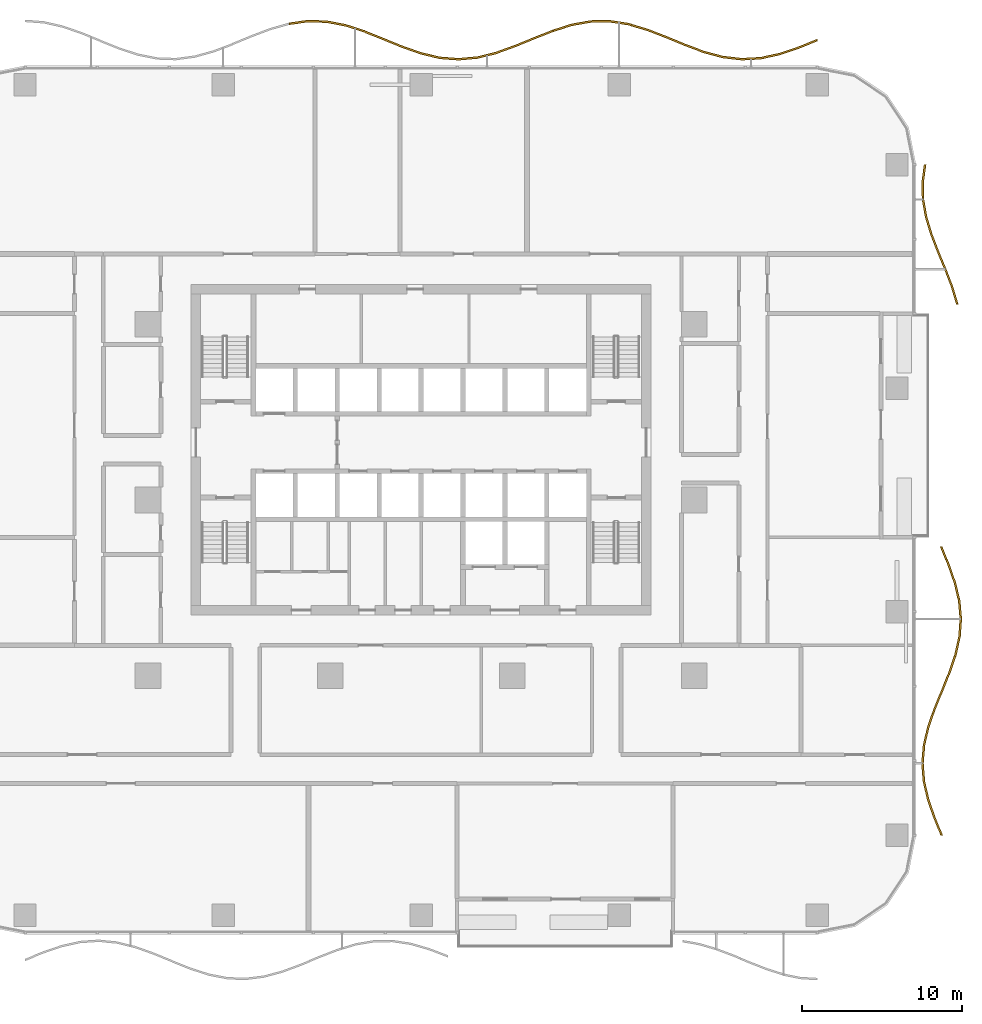
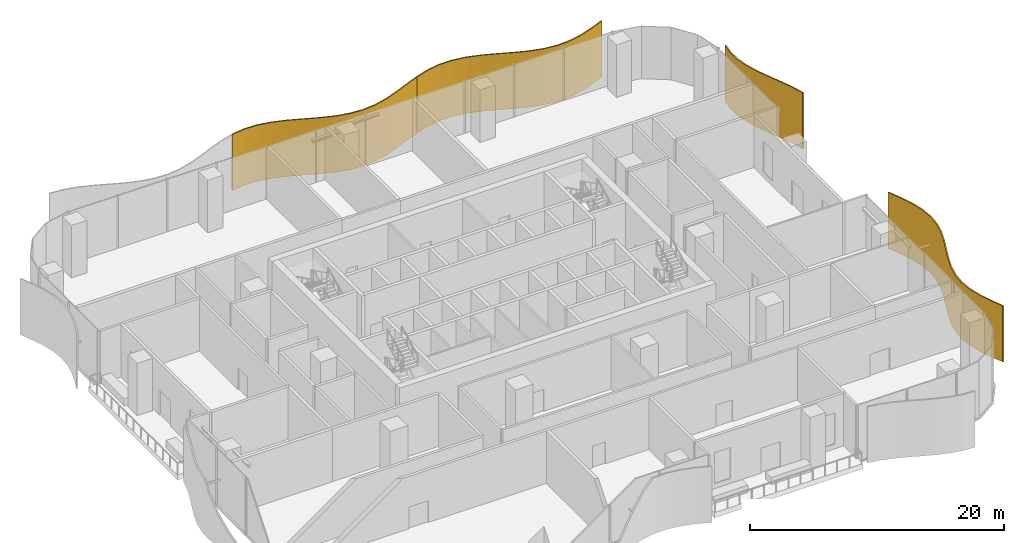
# One storey, part 20 of 20: 4 shading devices.
"""IFC4 building model written with IfcOpenShell, lengths in metres."""

from ifc_helpers import new_model, si_unit, direction, frame, origin, place, context, subcontext, project, spatial, polyline, outline, extrude, material, layer, layer_set, type_object, element, save


model = new_model("IFC4")

# Units and contexts
model_context = context("Model", 3, precision=1e-05, world=origin(), true_north=direction((0.0, 1.0)))
body_context = subcontext(model_context, "Body", "Model", "MODEL_VIEW")
ifc_project = project(units=[si_unit("LENGTHUNIT", "METRE"), si_unit("AREAUNIT", "SQUARE_METRE"), si_unit("VOLUMEUNIT", "CUBIC_METRE"), si_unit("PLANEANGLEUNIT", "RADIAN"), si_unit("MASSUNIT", "GRAM", prefix="KILO")], contexts=[model_context])

# Site, building, storey
site_placement = place(None, origin())
site = spatial("IfcSite", under=ifc_project, at=site_placement, CompositionType="ELEMENT")
building_placement = place(site_placement, origin())
building = spatial("IfcBuilding", under=site, at=building_placement, Name="Mopane Tessera Tower", CompositionType="ELEMENT")
storey_placement = place(building_placement, frame((0.0, 0.0, 25.5)))
storey = spatial("IfcBuildingStorey", under=building, at=storey_placement, Name="L04", CompositionType="ELEMENT", Elevation=25.5)

# Shading devices
ifc_material = material(Name="Anodised aluminium louvre blades", Category="aluminium")
ifc_layer = layer(ifc_material, 0.1201171875)
ifc_layer_set = layer_set([ifc_layer], Name="Anodised aluminium louvre blades")
shading_device_type = type_object("IfcShadingDeviceType", Name="Wave louvre screen", PredefinedType="JALOUSIE", material=ifc_layer_set)
shading_device_1_placement = place(storey_placement, frame((0.0, 0.0, -0.340087890625)))
element("IfcShadingDevice", 1, at=shading_device_1_placement, inside=storey, type_object=shading_device_type, Name="e:lv:L04:E:0", PredefinedType="JALOUSIE", context=body_context, shape_type="SweptSolid", body=[
    extrude(outline(polyline([(32.5400390625, -21.0), (32.0791015625, -19.870849609375), (31.68896484375, -18.74169921875), (31.429443359375, -17.612548828125), (31.340087890625, -16.4833984375), (31.434814453125, -15.354248046875), (31.698974609375, -14.22509765625), (32.092041015625, -13.095947265625), (32.553955078125, -11.966552734375), (33.013671875, -10.83740234375), (33.40087890625, -9.708251953125), (33.65576171875, -8.5791015625), (33.73974609375, -7.449951171875), (33.639892578125, -6.32080078125), (33.37109375, -5.191650390625), (32.974853515625, -4.0625), (32.511962890625, -2.933349609375), (32.632080078125, -2.933349609375), (33.094970703125, -4.0625), (33.490966796875, -5.191650390625), (33.759765625, -6.32080078125), (33.85986328125, -7.449951171875), (33.77587890625, -8.5791015625), (33.520751953125, -9.708251953125), (33.1337890625, -10.83740234375), (32.674072265625, -11.966552734375), (32.212158203125, -13.095947265625), (31.81884765625, -14.22509765625), (31.5546875, -15.354248046875), (31.4599609375, -16.4833984375), (31.54931640625, -17.612548828125), (31.80908203125, -18.74169921875), (32.19921875, -19.870849609375), (32.659912109375, -21.0), (32.5400390625, -21.0)])), origin(), (0.0, 0.0, 1.0), 5.39013671875),
])
shading_device_2_placement = place(storey_placement, frame((0.0, 0.0, -0.340087890625)))
element("IfcShadingDevice", 2, at=shading_device_2_placement, inside=storey, type_object=shading_device_type, Name="e:lv:L04:E:1", PredefinedType="JALOUSIE", context=body_context, shape_type="SweptSolid", body=[
    extrude(outline(polyline([(33.51904296875, 12.2666015625), (33.190673828125, 13.3583984375), (32.76904296875, 14.449951171875), (32.314453125, 15.541748046875), (31.892333984375, 16.63330078125), (31.56298828125, 17.72509765625), (31.3740234375, 18.816650390625), (31.35205078125, 19.908447265625), (31.500732421875, 21.0), (31.620849609375, 21.0), (31.47216796875, 19.908447265625), (31.493896484375, 18.816650390625), (31.68310546875, 17.72509765625), (32.01220703125, 16.63330078125), (32.4345703125, 15.541748046875), (32.888916015625, 14.449951171875), (33.310546875, 13.3583984375), (33.638916015625, 12.2666015625), (33.51904296875, 12.2666015625)])), origin(), (0.0, 0.0, 1.0), 5.39013671875),
])
shading_device_3_placement = place(storey_placement, frame((0.0, 0.0, -0.340087890625)))
element("IfcShadingDevice", 3, at=shading_device_3_placement, inside=storey, type_object=shading_device_type, Name="e:lv:L04:N:0", PredefinedType="JALOUSIE", context=body_context, shape_type="SweptSolid", body=[
    extrude(outline(polyline([(24.800048828125, 28.739990234375), (23.619140625, 28.25927734375), (22.43798828125, 27.85888671875), (21.257080078125, 27.6064453125), (20.076171875, 27.543701171875), (18.895263671875, 27.681396484375), (17.71435546875, 27.99658203125), (16.533447265625, 28.436279296875), (15.352294921875, 28.9267578125), (14.17138671875, 29.385986328125), (12.990478515625, 29.737060546875), (11.8095703125, 29.921142578125), (10.628662109375, 29.9072265625), (9.447509765625, 29.69775390625), (8.2666015625, 29.327880859375), (8.2666015625, 29.44775390625), (9.447509765625, 29.81787109375), (10.628662109375, 30.027099609375), (11.8095703125, 30.041015625), (12.990478515625, 29.857177734375), (14.17138671875, 29.506103515625), (15.352294921875, 29.046630859375), (16.533447265625, 28.55615234375), (17.71435546875, 28.116455078125), (18.895263671875, 27.801513671875), (20.076171875, 27.66357421875), (21.257080078125, 27.726318359375), (22.43798828125, 27.97900390625), (23.619140625, 28.379150390625), (24.800048828125, 28.860107421875), (24.800048828125, 28.739990234375)])), origin(), (0.0, 0.0, 1.0), 5.39013671875),
])
shading_device_4_placement = place(storey_placement, frame((0.0, 0.0, -0.340087890625)))
element("IfcShadingDevice", 4, at=shading_device_4_placement, inside=storey, type_object=shading_device_type, Name="e:lv:L04:N:1", PredefinedType="JALOUSIE", context=body_context, shape_type="SweptSolid", body=[
    extrude(outline(polyline([(8.2666015625, 29.327880859375), (7.085693359375, 28.859375), (5.90478515625, 28.37109375), (4.723876953125, 27.944580078125), (3.54296875, 27.651123046875), (2.36181640625, 27.540283203125), (1.180908203125, 27.63037109375), (0.0, 27.906494140625), (-1.180908203125, 28.322021484375), (-2.36181640625, 28.807861328125), (-3.54296875, 29.2822265625), (-4.723876953125, 29.66552734375), (-5.90478515625, 29.89404296875), (-7.085693359375, 29.92919921875), (-8.2666015625, 29.764892578125), (-8.2666015625, 29.885009765625), (-7.085693359375, 30.049072265625), (-5.90478515625, 30.01416015625), (-4.723876953125, 29.78564453125), (-3.54296875, 29.402099609375), (-2.36181640625, 28.927734375), (-1.180908203125, 28.442138671875), (0.0, 28.0263671875), (1.180908203125, 27.75048828125), (2.36181640625, 27.660400390625), (3.54296875, 27.771240234375), (4.723876953125, 28.064453125), (5.90478515625, 28.490966796875), (7.085693359375, 28.9794921875), (8.2666015625, 29.44775390625), (8.2666015625, 29.327880859375)])), origin(), (0.0, 0.0, 1.0), 5.39013671875),
])

save(model, "model.ifc")
